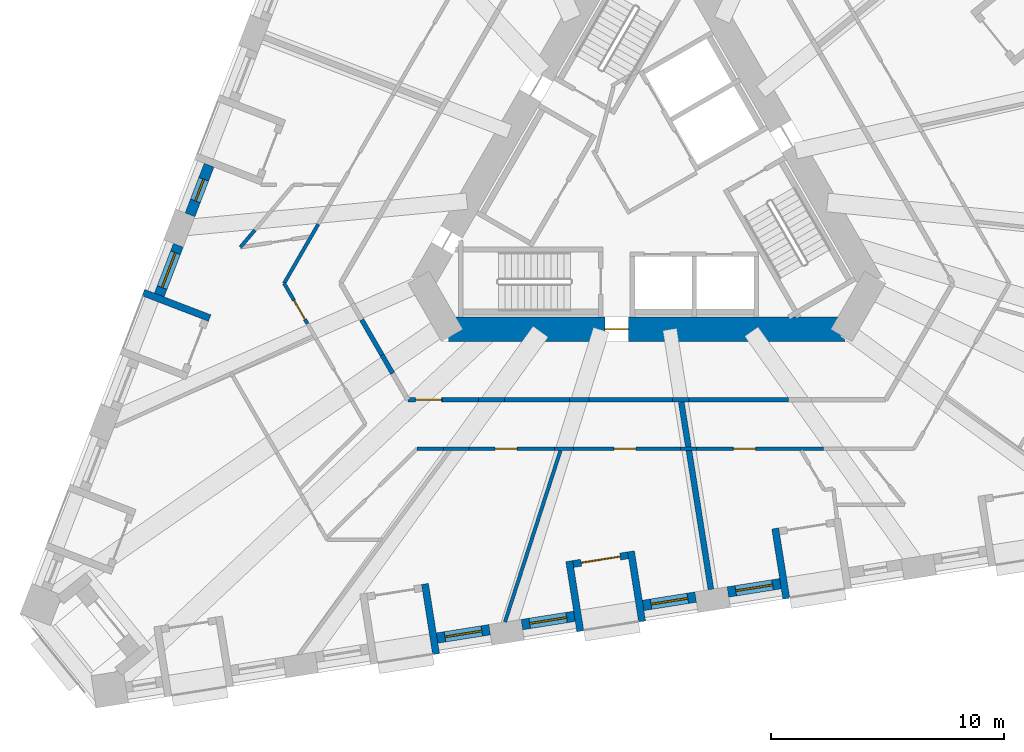
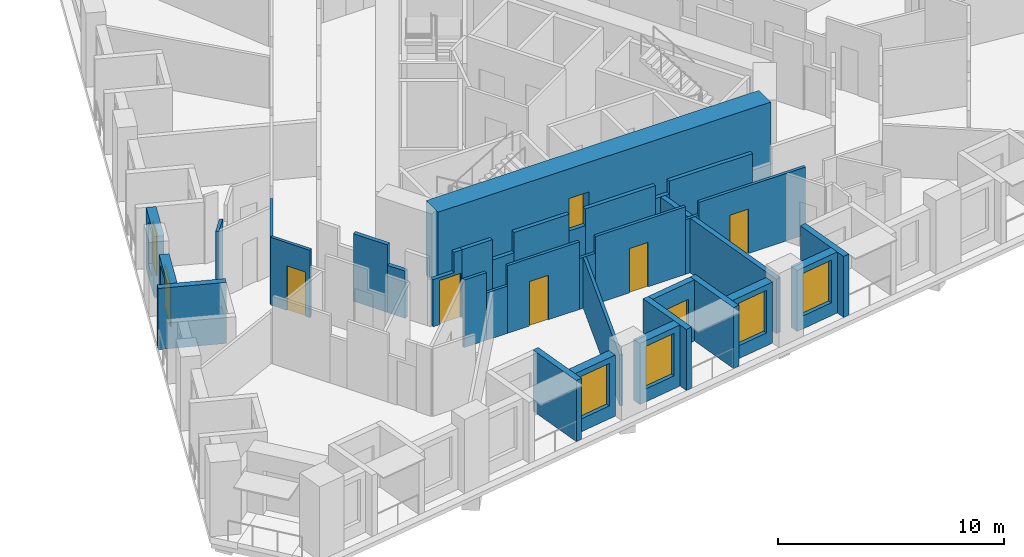
# One storey, part 3 of 14: 35 walls, 7 doors, 6 windows, 13 openings.
"""IFC4 building model written with IfcOpenShell, lengths in metres."""

from ifc_helpers import new_model, si_unit, direction, frame, frame_2d, origin, place, context, subcontext, project, spatial, polyline, rectangle, outline, extrude, material, layer, layer_set, type_object, element, fill, save


model = new_model("IFC4")

# Units and contexts
model_context = context("Model", 3, precision=1e-05, world=origin(), true_north=direction((0.0, 1.0)))
body_context = subcontext(model_context, "Body", "Model", "MODEL_VIEW")
ifc_project = project(units=[si_unit("LENGTHUNIT", "METRE"), si_unit("AREAUNIT", "SQUARE_METRE"), si_unit("VOLUMEUNIT", "CUBIC_METRE"), si_unit("PLANEANGLEUNIT", "RADIAN"), si_unit("MASSUNIT", "GRAM", prefix="KILO")], contexts=[model_context])

# Site, building, storey
site_placement = place(None, origin())
site = spatial("IfcSite", under=ifc_project, at=site_placement, CompositionType="ELEMENT")
building_placement = place(site_placement, origin())
building = spatial("IfcBuilding", under=site, at=building_placement, Name="Tramontana Tower", CompositionType="ELEMENT")
storey_placement = place(building_placement, frame((0.0, 0.0, 55.199951171875)))
storey = spatial("IfcBuildingStorey", under=building, at=storey_placement, Name="L11", CompositionType="ELEMENT", Elevation=55.199951171875)

# Wall, opening, door
ifc_material_1 = material(Name="Concrete 70 MPa", Category="concrete")
ifc_layer_1 = layer(ifc_material_1, 1.050048828125)
ifc_layer_set_1 = layer_set([ifc_layer_1], Name="Core wall 1050 70 MPa")
wall_type_1 = type_object("IfcWallType", Name="Core wall 1050 70 MPa", PredefinedType="SHEAR", material=ifc_layer_set_1)
wall_1_placement = place(storey_placement, frame((-8.50146484375, -6.22509765625, 0.0), z_axis=(0.0, 0.0, 1.0), x_axis=(1.0, 0.0, 0.0)))
wall_1 = element("IfcWall", 1, at=wall_1_placement, inside=storey, type_object=wall_type_1, Name="Core wall C3 L11", PredefinedType="SHEAR", context=body_context, shape_type="SweptSolid", body=[
    extrude(rectangle(XDim=17.0029296875, YDim=1.050048828125, at=frame_2d((8.50146484375, 0.0))), origin(), (0.0, 0.0, 1.0), 4.0),
])
opening_1_placement = place(wall_1_placement, frame((6.70654296875, 0.0, 0.0)))
opening_1 = element("IfcOpeningElement", 2, at=opening_1_placement, cuts=wall_1, Name="Opening RG2", PredefinedType="OPENING", context=body_context, shape_type="SweptSolid", body=[
    extrude(rectangle(XDim=1.0, YDim=2.39990234375, at=frame_2d((0.5, 1.199951171875))), frame((0.0, 0.534912109375, 0.0), z_axis=(0.0, -1.0, 0.0), x_axis=(1.0, 0.0, 0.0)), (0.0, 0.0, 1.0), 1.070068359375),
])
ifc_material_2 = material(Name="Painted steel", Category="steel")
door_type_1 = type_object("IfcDoorType", Name="RING DOOR 1000", OperationType="SINGLE_SWING_LEFT", PredefinedType="DOOR", material=ifc_material_2)
door_1_placement = place(opening_1_placement, origin())
door_1 = element("IfcDoor", 3, at=door_1_placement, inside=storey, type_object=door_type_1, Name="Door RG2", OperationType="SINGLE_SWING_RIGHT", OverallHeight=2.39990234375, OverallWidth=1.0, PredefinedType="DOOR", context=body_context, shape_type="SweptSolid", body=[
    extrude(rectangle(XDim=1.0, YDim=2.39990234375, at=frame_2d((0.5, 1.199951171875))), frame((0.0, 0.02490234375, 0.0), z_axis=(0.0, -1.0, 0.0), x_axis=(1.0, 0.0, 0.0)), (0.0, 0.0, 1.0), 0.050048828125),
])
fill(opening_1, door_1)

# Walls
ifc_material_3 = material(Name="Blockwork", Category="masonry")
ifc_layer_2 = layer(ifc_material_3, 0.199951171875)
ifc_layer_set_2 = layer_set([ifc_layer_2], Name="ENTRY WALL 200")
wall_type_2 = type_object("IfcWallType", Name="ENTRY WALL 200", PredefinedType="SOLIDWALL", material=ifc_layer_set_2)
wall_2_placement = place(storey_placement, frame((6.076171875, -9.25, 0.0), z_axis=(0.0, 0.0, 1.0), x_axis=(-1.0, 0.0, 0.0)))
element("IfcWall", 4, at=wall_2_placement, inside=storey, type_object=wall_type_2, Name="Wall v10-ew2-2", PredefinedType="SOLIDWALL", context=body_context, shape_type="SweptSolid", body=[
    extrude(rectangle(XDim=4.2568359375, YDim=0.199951171875, at=frame_2d((2.12841796875, 0.0))), origin(), (0.0, 0.0, 1.0), 3.650146484375),
])
wall_3_placement = place(storey_placement, frame((1.8193359375, -9.25, 0.0), z_axis=(0.0, 0.0, 1.0), x_axis=(-1.0, 0.0, 0.0)))
element("IfcWall", 5, at=wall_3_placement, inside=storey, type_object=wall_type_2, Name="Wall v10-ew2-3", PredefinedType="SOLIDWALL", context=body_context, shape_type="SweptSolid", body=[
    extrude(rectangle(XDim=0.708740234375, YDim=0.199951171875, at=frame_2d((0.3544921875, 0.0))), origin(), (0.0, 0.0, 1.0), 2.949951171875),
])
wall_4_placement = place(storey_placement, frame((1.110595703125, -9.25, 0.0), z_axis=(0.0, 0.0, 1.0), x_axis=(-1.0, 0.0, 0.0)))
element("IfcWall", 6, at=wall_4_placement, inside=storey, type_object=wall_type_2, Name="Wall v10-ew2-4", PredefinedType="SOLIDWALL", context=body_context, shape_type="SweptSolid", body=[
    extrude(rectangle(XDim=3.585205078125, YDim=0.199951171875, at=frame_2d((1.79248046875, 0.0))), origin(), (0.0, 0.0, 1.0), 3.650146484375),
])
wall_5_placement = place(storey_placement, frame((-2.474609375, -9.25, 0.0), z_axis=(0.0, 0.0, 1.0), x_axis=(-1.0, 0.0, 0.0)))
element("IfcWall", 7, at=wall_5_placement, inside=storey, type_object=wall_type_2, Name="Wall v10-ew2-5", PredefinedType="SOLIDWALL", context=body_context, shape_type="SweptSolid", body=[
    extrude(rectangle(XDim=0.838134765625, YDim=0.199951171875, at=frame_2d((0.4189453125, 0.0))), origin(), (0.0, 0.0, 1.0), 2.75),
])
wall_6_placement = place(storey_placement, frame((-3.312744140625, -9.25, 0.0), z_axis=(0.0, 0.0, 1.0), x_axis=(-1.0, 0.0, 0.0)))
element("IfcWall", 8, at=wall_6_placement, inside=storey, type_object=wall_type_2, Name="Wall v10-ew2-6", PredefinedType="SOLIDWALL", context=body_context, shape_type="SweptSolid", body=[
    extrude(rectangle(XDim=2.793701171875, YDim=0.199951171875, at=frame_2d((1.39697265625, 0.0))), origin(), (0.0, 0.0, 1.0), 3.650146484375),
])
wall_7_placement = place(storey_placement, frame((-6.1064453125, -9.25, 0.0), z_axis=(0.0, 0.0, 1.0), x_axis=(-1.0, 0.0, 0.0)))
element("IfcWall", 9, at=wall_7_placement, inside=storey, type_object=wall_type_2, Name="Wall v10-ew2-7", PredefinedType="SOLIDWALL", context=body_context, shape_type="SweptSolid", body=[
    extrude(rectangle(XDim=1.10888671875, YDim=0.199951171875, at=frame_2d((0.554443359375, 0.0))), origin(), (0.0, 0.0, 1.0), 2.550048828125),
])
wall_8_placement = place(storey_placement, frame((-7.21533203125, -9.25, 0.0), z_axis=(0.0, 0.0, 1.0), x_axis=(-1.0, 0.0, 0.0)))
element("IfcWall", 10, at=wall_8_placement, inside=storey, type_object=wall_type_2, Name="Wall v10-ew2-8", PredefinedType="SOLIDWALL", context=body_context, shape_type="SweptSolid", body=[
    extrude(rectangle(XDim=1.552978515625, YDim=0.199951171875, at=frame_2d((0.7763671875, 0.0))), origin(), (0.0, 0.0, 1.0), 3.650146484375),
])

# Wall, opening, door
wall_9_placement = place(storey_placement, frame((-10.248046875, -9.25, 0.0), z_axis=(0.0, 0.0, 1.0), x_axis=(1.0, 0.0, 0.0)))
wall_9 = element("IfcWall", 11, at=wall_9_placement, inside=storey, type_object=wall_type_2, Name="Wall v10-ew2-9", PredefinedType="SOLIDWALL", context=body_context, shape_type="SweptSolid", body=[
    extrude(outline(polyline([(0.0, 0.0), (1.479736328125, 0.0), (1.4794921875, 3.650146484375), (1.0703125, 3.650146484375), (1.0703125, 2.550048828125), (0.0, 2.550048828125), (0.0, 0.0)])), frame((0.0, 0.10009765625, 0.0), z_axis=(0.0, -1.0, 0.0), x_axis=(1.0, 0.0, 0.0)), (0.0, 0.0, 1.0), 0.199951171875),
])
opening_2_placement = place(wall_9_placement, frame((0.32958984375, 0.0, 0.0)))
opening_2 = element("IfcOpeningElement", 12, at=opening_2_placement, cuts=wall_9, Name="Opening B1A-29", PredefinedType="OPENING", context=body_context, shape_type="SweptSolid", body=[
    extrude(rectangle(XDim=1.10009765625, YDim=2.39990234375, at=frame_2d((0.550048828125, 1.199951171875))), frame((0.0, 0.10986328125, 0.0), z_axis=(0.0, -1.0, 0.0), x_axis=(1.0, 0.0, 0.0)), (0.0, 0.0, 1.0), 0.219970703125),
])
ifc_material_4 = material(Name="Painted timber", Category="wood")
door_type_2 = type_object("IfcDoorType", Name="DOOR ENTRY 1100", OperationType="SINGLE_SWING_LEFT", PredefinedType="DOOR", material=ifc_material_4)
door_2_placement = place(opening_2_placement, origin())
door_2 = element("IfcDoor", 13, at=door_2_placement, inside=storey, type_object=door_type_2, Name="Door B1A-29", OperationType="SINGLE_SWING_LEFT", OverallHeight=2.39990234375, OverallWidth=1.10009765625, PredefinedType="DOOR", context=body_context, shape_type="SweptSolid", body=[
    extrude(rectangle(XDim=1.10009765625, YDim=2.39990234375, at=frame_2d((0.550048828125, 1.199951171875))), frame((0.0, 0.02490234375, 0.0), z_axis=(0.0, -1.0, 0.0), x_axis=(1.0, 0.0, 0.0)), (0.0, 0.0, 1.0), 0.050048828125),
])
fill(opening_2, door_2)

# Walls
wall_10_placement = place(storey_placement, frame((-10.904296875, -8.11328125, 0.0), z_axis=(0.0, 0.0, 1.0), x_axis=(-0.499948710669, 0.866055013668, 0.0)))
element("IfcWall", 14, at=wall_10_placement, inside=storey, type_object=wall_type_2, Name="Wall v10-ew3-2", PredefinedType="SOLIDWALL", context=body_context, shape_type="SweptSolid", body=[
    extrude(rectangle(XDim=0.90283203125, YDim=0.199951171875, at=frame_2d((0.451416015625, 0.0))), origin(), (0.0, 0.0, 1.0), 2.550048828125),
])
wall_11_placement = place(storey_placement, frame((-11.355712890625, -7.331298828125, 0.0), z_axis=(0.0, 0.0, 1.0), x_axis=(-0.50000494408, 0.866022549299, 0.0)))
element("IfcWall", 15, at=wall_11_placement, inside=storey, type_object=wall_type_2, Name="Wall v10-ew3-3", PredefinedType="SOLIDWALL", context=body_context, shape_type="SweptSolid", body=[
    extrude(rectangle(XDim=1.74560546875, YDim=0.199951171875, at=frame_2d((0.872802734375, 0.0))), origin(), (0.0, 0.0, 1.0), 3.650146484375),
])

# Wall, opening, window
ifc_material_5 = material(Name="Precast concrete 60 MPa", Category="concrete")
ifc_layer_3 = layer(ifc_material_5, 0.449951171875)
ifc_layer_set_3 = layer_set([ifc_layer_3], Name="Precast concrete 60 MPa, 450 mm")
wall_type_3 = type_object("IfcWallType", Name="EW1 Stone-faced precast wall 450", PredefinedType="SOLIDWALL", material=ifc_layer_set_3)
wall_12_placement = place(storey_placement, frame((-18.779052734375, 0.818115234375, 0.0), z_axis=(0.0, 0.0, 1.0), x_axis=(-0.358355550725, -0.933585185864, 0.0)))
wall_12 = element("IfcWall", 16, at=wall_12_placement, inside=storey, type_object=wall_type_3, Name="External wall L11 face 0 bay 4", PredefinedType="SOLIDWALL", context=body_context, shape_type="SweptSolid", body=[
    extrude(rectangle(XDim=2.282958984375, YDim=0.449951171875, at=frame_2d((1.1416015625, 0.0))), origin(), (0.0, 0.0, 1.0), 3.300048828125),
])
opening_3_placement = place(wall_12_placement, frame((0.6416015625, 0.0, 0.699951171875)))
opening_3 = element("IfcOpeningElement", 17, at=opening_3_placement, cuts=wall_12, Name="Opening N1", PredefinedType="OPENING", context=body_context, shape_type="SweptSolid", body=[
    extrude(rectangle(XDim=1.0, YDim=2.300048828125, at=frame_2d((0.5, 1.14990234375))), frame((0.0, 0.23486328125, 0.0), z_axis=(0.0, -1.0, 0.0), x_axis=(1.0, 0.0, 0.0)), (0.0, 0.0, 1.0), 0.469970703125),
])
ifc_material_6 = material(Name="Aluminum frame, double glazing unit", Category="aluminium")
window_type_1 = type_object("IfcWindowType", Name="N1 Window 1 x 2.3", PartitioningType="SINGLE_PANEL", PredefinedType="WINDOW", material=ifc_material_6)
window_1_placement = place(opening_3_placement, origin())
window_1 = element("IfcWindow", 18, at=window_1_placement, inside=storey, type_object=window_type_1, Name="Window N1 L11 face 0 module 12", OverallHeight=2.300048828125, OverallWidth=1.0, PartitioningType="SINGLE_PANEL", PredefinedType="WINDOW", context=body_context, shape_type="SweptSolid", body=[
    extrude(rectangle(XDim=1.0, YDim=2.300048828125, at=frame_2d((0.5, 1.14990234375))), frame((0.0, 0.030029296875, 0.0), z_axis=(0.0, -1.0, 0.0), x_axis=(1.0, 0.0, 0.0)), (0.0, 0.0, 1.0), 0.06005859375),
])
fill(opening_3, window_1)

wall_13_placement = place(storey_placement, frame((-20.098876953125, -2.6201171875, 0.0), z_axis=(0.0, 0.0, 1.0), x_axis=(-0.358355550725, -0.933585185864, 0.0)))
wall_13 = element("IfcWall", 19, at=wall_13_placement, inside=storey, type_object=wall_type_3, Name="External wall L11 face 0 bay 5", PredefinedType="SOLIDWALL", context=body_context, shape_type="SweptSolid", body=[
    extrude(rectangle(XDim=2.282958984375, YDim=0.449951171875, at=frame_2d((1.1416015625, 0.0))), origin(), (0.0, 0.0, 1.0), 3.300048828125),
])
opening_4_placement = place(wall_13_placement, frame((0.341552734375, 0.0, 0.699951171875)))
opening_4 = element("IfcOpeningElement", 20, at=opening_4_placement, cuts=wall_13, Name="Opening M1", PredefinedType="OPENING", context=body_context, shape_type="SweptSolid", body=[
    extrude(rectangle(XDim=1.60009765625, YDim=2.300048828125, at=frame_2d((0.800048828125, 1.14990234375))), frame((0.0, 0.23486328125, 0.0), z_axis=(0.0, -1.0, 0.0), x_axis=(1.0, 0.0, 0.0)), (0.0, 0.0, 1.0), 0.469970703125),
])
ifc_material_7 = material(Name="Aluminum frame, double glazing unit", Category="aluminium")
window_type_2 = type_object("IfcWindowType", Name="M1 Window 1.6 x 2.3", PartitioningType="SINGLE_PANEL", PredefinedType="WINDOW", material=ifc_material_7)
window_2_placement = place(opening_4_placement, origin())
window_2 = element("IfcWindow", 21, at=window_2_placement, inside=storey, type_object=window_type_2, Name="Window M1 L11 face 0 module 13", OverallHeight=2.300048828125, OverallWidth=1.60009765625, PartitioningType="SINGLE_PANEL", PredefinedType="WINDOW", context=body_context, shape_type="SweptSolid", body=[
    extrude(rectangle(XDim=1.60009765625, YDim=2.300048828125, at=frame_2d((0.800048828125, 1.14990234375))), frame((0.0, 0.030029296875, 0.0), z_axis=(0.0, -1.0, 0.0), x_axis=(1.0, 0.0, 0.0)), (0.0, 0.0, 1.0), 0.06005859375),
])
fill(opening_4, window_2)

wall_14_placement = place(storey_placement, frame((-8.99658203125, -19.47216796875, 0.0), z_axis=(0.0, 0.0, 1.0), x_axis=(0.987685675151, 0.156451293065, 0.0)))
wall_14 = element("IfcWall", 22, at=wall_14_placement, inside=storey, type_object=wall_type_3, Name="External wall L11 face 1 bay 2", PredefinedType="SOLIDWALL", context=body_context, shape_type="SweptSolid", body=[
    extrude(rectangle(XDim=2.282958984375, YDim=0.449951171875, at=frame_2d((1.1416015625, 0.0))), origin(), (0.0, 0.0, 1.0), 3.300048828125),
])
opening_5_placement = place(wall_14_placement, frame((0.341552734375, 0.0, 0.699951171875)))
opening_5 = element("IfcOpeningElement", 23, at=opening_5_placement, cuts=wall_14, Name="Opening M1", PredefinedType="OPENING", context=body_context, shape_type="SweptSolid", body=[
    extrude(rectangle(XDim=1.60009765625, YDim=2.300048828125, at=frame_2d((0.800048828125, 1.14990234375))), frame((0.0, 0.23486328125, 0.0), z_axis=(0.0, -1.0, 0.0), x_axis=(1.0, 0.0, 0.0)), (0.0, 0.0, 1.0), 0.469970703125),
])
window_3_placement = place(opening_5_placement, origin())
window_3 = element("IfcWindow", 24, at=window_3_placement, inside=storey, type_object=window_type_2, Name="Window M1 L11 face 1 module 6", OverallHeight=2.300048828125, OverallWidth=1.60009765625, PartitioningType="SINGLE_PANEL", PredefinedType="WINDOW", context=body_context, shape_type="SweptSolid", body=[
    extrude(rectangle(XDim=1.60009765625, YDim=2.300048828125, at=frame_2d((0.800048828125, 1.14990234375))), frame((0.0, 0.030029296875, 0.0), z_axis=(0.0, -1.0, 0.0), x_axis=(1.0, 0.0, 0.0)), (0.0, 0.0, 1.0), 0.06005859375),
])
fill(opening_5, window_3)

wall_15_placement = place(storey_placement, frame((-5.35888671875, -18.89599609375, 0.0), z_axis=(0.0, 0.0, 1.0), x_axis=(0.987685675151, 0.156451293065, 0.0)))
wall_15 = element("IfcWall", 25, at=wall_15_placement, inside=storey, type_object=wall_type_3, Name="External wall L11 face 1 bay 3", PredefinedType="SOLIDWALL", context=body_context, shape_type="SweptSolid", body=[
    extrude(rectangle(XDim=2.282958984375, YDim=0.449951171875, at=frame_2d((1.1416015625, 0.0))), origin(), (0.0, 0.0, 1.0), 3.300048828125),
])
opening_6_placement = place(wall_15_placement, frame((0.341552734375, 0.0, 0.699951171875)))
opening_6 = element("IfcOpeningElement", 26, at=opening_6_placement, cuts=wall_15, Name="Opening M1", PredefinedType="OPENING", context=body_context, shape_type="SweptSolid", body=[
    extrude(rectangle(XDim=1.60009765625, YDim=2.300048828125, at=frame_2d((0.800048828125, 1.14990234375))), frame((0.0, 0.23486328125, 0.0), z_axis=(0.0, -1.0, 0.0), x_axis=(1.0, 0.0, 0.0)), (0.0, 0.0, 1.0), 0.469970703125),
])
window_4_placement = place(opening_6_placement, origin())
window_4 = element("IfcWindow", 27, at=window_4_placement, inside=storey, type_object=window_type_2, Name="Window M1 L11 face 1 module 7", OverallHeight=2.300048828125, OverallWidth=1.60009765625, PartitioningType="SINGLE_PANEL", PredefinedType="WINDOW", context=body_context, shape_type="SweptSolid", body=[
    extrude(rectangle(XDim=1.60009765625, YDim=2.300048828125, at=frame_2d((0.800048828125, 1.14990234375))), frame((0.0, 0.030029296875, 0.0), z_axis=(0.0, -1.0, 0.0), x_axis=(1.0, 0.0, 0.0)), (0.0, 0.0, 1.0), 0.06005859375),
])
fill(opening_6, window_4)

wall_16_placement = place(storey_placement, frame((-0.15771484375, -18.072265625, 0.0), z_axis=(0.0, 0.0, 1.0), x_axis=(0.987685675151, 0.156451293065, 0.0)))
wall_16 = element("IfcWall", 28, at=wall_16_placement, inside=storey, type_object=wall_type_3, Name="External wall L11 face 1 bay 3", PredefinedType="SOLIDWALL", context=body_context, shape_type="SweptSolid", body=[
    extrude(rectangle(XDim=2.282958984375, YDim=0.449951171875, at=frame_2d((1.1416015625, 0.0))), origin(), (0.0, 0.0, 1.0), 3.300048828125),
])
opening_7_placement = place(wall_16_placement, frame((0.341552734375, 0.0, 0.699951171875)))
opening_7 = element("IfcOpeningElement", 29, at=opening_7_placement, cuts=wall_16, Name="Opening M1", PredefinedType="OPENING", context=body_context, shape_type="SweptSolid", body=[
    extrude(rectangle(XDim=1.60009765625, YDim=2.300048828125, at=frame_2d((0.800048828125, 1.14990234375))), frame((0.0, 0.23486328125, 0.0), z_axis=(0.0, -1.0, 0.0), x_axis=(1.0, 0.0, 0.0)), (0.0, 0.0, 1.0), 0.469970703125),
])
window_5_placement = place(opening_7_placement, origin())
window_5 = element("IfcWindow", 30, at=window_5_placement, inside=storey, type_object=window_type_2, Name="Window M1 L11 face 1 module 9", OverallHeight=2.300048828125, OverallWidth=1.60009765625, PartitioningType="SINGLE_PANEL", PredefinedType="WINDOW", context=body_context, shape_type="SweptSolid", body=[
    extrude(rectangle(XDim=1.60009765625, YDim=2.300048828125, at=frame_2d((0.800048828125, 1.14990234375))), frame((0.0, 0.030029296875, 0.0), z_axis=(0.0, -1.0, 0.0), x_axis=(1.0, 0.0, 0.0)), (0.0, 0.0, 1.0), 0.06005859375),
])
fill(opening_7, window_5)

wall_17_placement = place(storey_placement, frame((3.479736328125, -17.49609375, 0.0), z_axis=(0.0, 0.0, 1.0), x_axis=(0.987685675151, 0.156451293065, 0.0)))
wall_17 = element("IfcWall", 31, at=wall_17_placement, inside=storey, type_object=wall_type_3, Name="External wall L11 face 1 bay 4", PredefinedType="SOLIDWALL", context=body_context, shape_type="SweptSolid", body=[
    extrude(rectangle(XDim=2.282958984375, YDim=0.449951171875, at=frame_2d((1.1416015625, 0.0))), origin(), (0.0, 0.0, 1.0), 3.300048828125),
])
opening_8_placement = place(wall_17_placement, frame((0.341552734375, 0.0, 0.699951171875)))
opening_8 = element("IfcOpeningElement", 32, at=opening_8_placement, cuts=wall_17, Name="Opening M1", PredefinedType="OPENING", context=body_context, shape_type="SweptSolid", body=[
    extrude(rectangle(XDim=1.60009765625, YDim=2.300048828125, at=frame_2d((0.800048828125, 1.14990234375))), frame((0.0, 0.23486328125, 0.0), z_axis=(0.0, -1.0, 0.0), x_axis=(1.0, 0.0, 0.0)), (0.0, 0.0, 1.0), 0.469970703125),
])
window_6_placement = place(opening_8_placement, origin())
window_6 = element("IfcWindow", 33, at=window_6_placement, inside=storey, type_object=window_type_2, Name="Window M1 L11 face 1 module 10", OverallHeight=2.300048828125, OverallWidth=1.60009765625, PartitioningType="SINGLE_PANEL", PredefinedType="WINDOW", context=body_context, shape_type="SweptSolid", body=[
    extrude(rectangle(XDim=1.60009765625, YDim=2.300048828125, at=frame_2d((0.800048828125, 1.14990234375))), frame((0.0, 0.030029296875, 0.0), z_axis=(0.0, -1.0, 0.0), x_axis=(1.0, 0.0, 0.0)), (0.0, 0.0, 1.0), 0.06005859375),
])
fill(opening_8, window_6)

# Walls
ifc_material_8 = material(Name="Precast concrete 60 MPa", Category="concrete")
ifc_layer_4 = layer(ifc_material_8, 0.300048828125)
ifc_layer_set_4 = layer_set([ifc_layer_4], Name="LW1 Stone-faced loggia wall 300")
wall_type_4 = type_object("IfcWallType", Name="LW1 Stone-faced loggia wall 300", PredefinedType="SOLIDWALL", material=ifc_layer_set_4)
for number, where, z_axis, x_axis, name in (
    (34, (-21.60107421875, -4.649658203125, 0.0), (0.0, 0.0, 1.0), (0.933580593625, -0.358367514161, 0.0), "Loggia return L11 G1S0.13a"),
    (35, (-9.0390625, -20.162353515625, 0.0), (0.0, 0.0, 1.0), (-0.156488687365, 0.987679751097, 0.0), "Loggia return L11 G1S1.4b"),
):
    element("IfcWall", number, at=place(storey_placement, frame(where, z_axis=z_axis, x_axis=x_axis)), inside=storey, type_object=wall_type_4, Name=name, PredefinedType="SOLIDWALL", context=body_context, shape_type="SweptSolid", body=[
        extrude(rectangle(XDim=3.050048828125, YDim=0.300048828125, at=frame_2d((1.52490234375, 0.0))), origin(), (0.0, 0.0, 1.0), 3.300048828125),
    ])

# Wall, opening, door
wall_18_placement = place(storey_placement, frame((-3.15576171875, -16.294189453125, 0.0), z_axis=(0.0, 0.0, 1.0), x_axis=(0.987685586014, 0.156451855793, 0.0)))
wall_18 = element("IfcWall", 36, at=wall_18_placement, inside=storey, type_object=wall_type_4, Name="Loggia wall L11 G1S1.7", PredefinedType="SOLIDWALL", context=body_context, shape_type="SweptSolid", body=[
    extrude(rectangle(XDim=2.3828125, YDim=0.300048828125, at=frame_2d((1.19140625, 0.0))), origin(), (0.0, 0.0, 1.0), 3.300048828125),
])
opening_9_placement = place(wall_18_placement, frame((0.341552734375, 0.0, 0.0)))
opening_9 = element("IfcOpeningElement", 37, at=opening_9_placement, cuts=wall_18, Name="Opening BD-1S1-07", PredefinedType="OPENING", context=body_context, shape_type="SweptSolid", body=[
    extrude(rectangle(XDim=1.699951171875, YDim=2.39990234375, at=frame_2d((0.85009765625, 1.199951171875))), frame((0.0, 0.159912109375, 0.0), z_axis=(0.0, -1.0, 0.0), x_axis=(1.0, 0.0, 0.0)), (0.0, 0.0, 1.0), 0.320068359375),
])
ifc_material_9 = material(Name="Aluminum frame, double glazing unit", Category="aluminium")
door_type_3 = type_object("IfcDoorType", Name="BD1 Sliding door 1.7 x 2.4", OperationType="SLIDING_TO_LEFT", PredefinedType="DOOR", material=ifc_material_9)
door_3_placement = place(opening_9_placement, origin())
door_3 = element("IfcDoor", 38, at=door_3_placement, inside=storey, type_object=door_type_3, Name="Loggia door L11 G1S1.7", OperationType="SLIDING_TO_LEFT", OverallHeight=2.39990234375, OverallWidth=1.699951171875, PredefinedType="DOOR", context=body_context, shape_type="SweptSolid", body=[
    extrude(rectangle(XDim=1.699951171875, YDim=2.39990234375, at=frame_2d((0.85009765625, 1.199951171875))), frame((0.0, 0.02490234375, 0.0), z_axis=(0.0, -1.0, 0.0), x_axis=(1.0, 0.0, 0.0)), (0.0, 0.0, 1.0), 0.050048828125),
])
fill(opening_9, door_3)

# Walls
for number, where, z_axis, x_axis, name in (
    (39, (-2.850341796875, -19.18212890625, 0.0), (0.0, 0.0, 1.0), (-0.156410600741, 0.987692120033, 0.0), "Loggia return L11 G1S1.7a"),
    (40, (-0.200439453125, -18.762451171875, 0.0), (0.0, 0.0, 1.0), (-0.156410600741, 0.987692120033, 0.0), "Loggia return L11 G1S1.7b"),
    (41, (5.988525390625, -17.7822265625, 0.0), (0.0, 0.0, 1.0), (-0.156488687365, 0.987679751097, 0.0), "Loggia return L11 G1S1.10a"),
):
    element("IfcWall", number, at=place(storey_placement, frame(where, z_axis=z_axis, x_axis=x_axis)), inside=storey, type_object=wall_type_4, Name=name, PredefinedType="SOLIDWALL", context=body_context, shape_type="SweptSolid", body=[
        extrude(rectangle(XDim=3.050048828125, YDim=0.300048828125, at=frame_2d((1.52490234375, 0.0))), origin(), (0.0, 0.0, 1.0), 3.300048828125),
    ])
ifc_material_10 = material(Name="Gypsum board partition")
ifc_layer_5 = layer(ifc_material_10, 0.14990234375)
ifc_layer_set_5 = layer_set([ifc_layer_5], Name="PARTITION 150")
wall_type_5 = type_object("IfcWallType", Name="PARTITION 150", PredefinedType="PARTITIONING", material=ifc_layer_set_5)
wall_19_placement = place(storey_placement, frame((-17.43798828125, -2.703369140625, 0.0), z_axis=(0.0, 0.0, 1.0), x_axis=(0.647272566257, 0.76225863391, 0.0)))
element("IfcWall", 42, at=wall_19_placement, inside=storey, type_object=wall_type_5, Name="Wall v10-pw01-0", PredefinedType="PARTITIONING", context=body_context, shape_type="SweptSolid", body=[
    extrude(rectangle(XDim=0.9619140625, YDim=0.14990234375, at=frame_2d((0.48095703125, 0.0))), origin(), (0.0, 0.0, 1.0), 3.650146484375),
])

# Wall, opening, door
wall_20_placement = place(storey_placement, frame((-14.55810546875, -5.984619140625, 0.0), z_axis=(0.0, 0.0, 1.0), x_axis=(-0.499993265928, 0.866029291668, 0.0)))
wall_20 = element("IfcWall", 43, at=wall_20_placement, inside=storey, type_object=wall_type_5, Name="Wall v10-pw07-4", PredefinedType="PARTITIONING", context=body_context, shape_type="SweptSolid", body=[
    extrude(rectangle(XDim=2.0029296875, YDim=0.14990234375, at=frame_2d((1.00146484375, 0.0))), origin(), (0.0, 0.0, 1.0), 3.650146484375),
])
opening_10_placement = place(wall_20_placement, frame((0.210693359375, 0.0, 0.0)))
opening_10 = element("IfcOpeningElement", 44, at=opening_10_placement, cuts=wall_20, Name="Opening B1A-13", PredefinedType="OPENING", context=body_context, shape_type="SweptSolid", body=[
    extrude(rectangle(XDim=0.949951171875, YDim=2.39990234375, at=frame_2d((0.47509765625, 1.199951171875))), frame((0.0, 0.0849609375, 0.0), z_axis=(0.0, -1.0, 0.0), x_axis=(1.0, 0.0, 0.0)), (0.0, 0.0, 1.0), 0.169921875),
])
ifc_material_11 = material(Name="Painted timber", Category="wood")
door_type_4 = type_object("IfcDoorType", Name="DOOR ROOM 950", OperationType="SINGLE_SWING_LEFT", PredefinedType="DOOR", material=ifc_material_11)
door_4_placement = place(opening_10_placement, origin())
door_4 = element("IfcDoor", 45, at=door_4_placement, inside=storey, type_object=door_type_4, Name="Door B1A-13", OperationType="SINGLE_SWING_LEFT", OverallHeight=2.39990234375, OverallWidth=0.949951171875, PredefinedType="DOOR", context=body_context, shape_type="SweptSolid", body=[
    extrude(rectangle(XDim=0.949951171875, YDim=2.39990234375, at=frame_2d((0.47509765625, 1.199951171875))), frame((0.0, 0.02490234375, 0.0), z_axis=(0.0, -1.0, 0.0), x_axis=(1.0, 0.0, 0.0)), (0.0, 0.0, 1.0), 0.050048828125),
])
fill(opening_10, door_4)

# Walls
wall_21_placement = place(storey_placement, frame((-14.095703125, -1.714599609375, 0.0), z_axis=(0.0, 0.0, 1.0), x_axis=(-0.500013600279, -0.866017551517, 0.0)))
element("IfcWall", 46, at=wall_21_placement, inside=storey, type_object=wall_type_5, Name="Wall v10-pw16-8", PredefinedType="PARTITIONING", context=body_context, shape_type="SweptSolid", body=[
    extrude(rectangle(XDim=2.927734375, YDim=0.14990234375, at=frame_2d((1.4638671875, 0.0))), origin(), (0.0, 0.0, 1.0), 3.650146484375),
])
wall_22_placement = place(storey_placement, frame((-3.70166015625, -11.425048828125, 0.0), z_axis=(0.0, 0.0, 1.0), x_axis=(-0.308195921166, -0.951322907417, 0.0)))
element("IfcWall", 47, at=wall_22_placement, inside=storey, type_object=wall_type_5, Name="Wall v10-pw19-0", PredefinedType="PARTITIONING", context=body_context, shape_type="SweptSolid", body=[
    extrude(rectangle(XDim=7.734619140625, YDim=0.14990234375, at=frame_2d((3.8671875, 0.0))), origin(), (0.0, 0.0, 1.0), 2.75),
])

# Wall, opening, door
wall_23_placement = place(storey_placement, frame((7.582275390625, -11.35009765625, 0.0), z_axis=(0.0, 0.0, 1.0), x_axis=(-1.0, 0.0, 0.0)))
wall_23 = element("IfcWall", 48, at=wall_23_placement, inside=storey, type_object=wall_type_5, Name="Wall v10-pw35-2", PredefinedType="PARTITIONING", context=body_context, shape_type="SweptSolid", body=[
    extrude(rectangle(XDim=5.44287109375, YDim=0.14990234375, at=frame_2d((2.721435546875, 0.0))), origin(), (0.0, 0.0, 1.0), 3.650146484375),
])
opening_11_placement = place(wall_23_placement, frame((2.91552734375, 0.0, 0.0)))
opening_11 = element("IfcOpeningElement", 49, at=opening_11_placement, cuts=wall_23, Name="Opening B1A-22", PredefinedType="OPENING", context=body_context, shape_type="SweptSolid", body=[
    extrude(rectangle(XDim=0.949951171875, YDim=2.39990234375, at=frame_2d((0.47509765625, 1.199951171875))), frame((0.0, 0.0849609375, 0.0), z_axis=(0.0, -1.0, 0.0), x_axis=(1.0, 0.0, 0.0)), (0.0, 0.0, 1.0), 0.169921875),
])
door_5_placement = place(opening_11_placement, origin())
door_5 = element("IfcDoor", 50, at=door_5_placement, inside=storey, type_object=door_type_4, Name="Door B1A-22", OperationType="SINGLE_SWING_RIGHT", OverallHeight=2.39990234375, OverallWidth=0.949951171875, PredefinedType="DOOR", context=body_context, shape_type="SweptSolid", body=[
    extrude(rectangle(XDim=0.949951171875, YDim=2.39990234375, at=frame_2d((0.47509765625, 1.199951171875))), frame((0.0, 0.02490234375, 0.0), z_axis=(0.0, -1.0, 0.0), x_axis=(1.0, 0.0, 0.0)), (0.0, 0.0, 1.0), 0.050048828125),
])
fill(opening_11, door_5)

# Wall
wall_24_placement = place(storey_placement, frame((2.139404296875, -11.35009765625, 0.0), z_axis=(0.0, 0.0, 1.0), x_axis=(-1.0, 0.0, 0.0)))
element("IfcWall", 51, at=wall_24_placement, inside=storey, type_object=wall_type_5, Name="Wall v10-pw35-3", PredefinedType="PARTITIONING", context=body_context, shape_type="SweptSolid", body=[
    extrude(rectangle(XDim=0.683349609375, YDim=0.14990234375, at=frame_2d((0.341796875, 0.0))), origin(), (0.0, 0.0, 1.0), 2.949951171875),
])

# Wall, opening, door
wall_25_placement = place(storey_placement, frame((1.4560546875, -11.35009765625, 0.0), z_axis=(0.0, 0.0, 1.0), x_axis=(-1.0, 0.0, 0.0)))
wall_25 = element("IfcWall", 52, at=wall_25_placement, inside=storey, type_object=wall_type_5, Name="Wall v10-pw35-4", PredefinedType="PARTITIONING", context=body_context, shape_type="SweptSolid", body=[
    extrude(rectangle(XDim=4.600830078125, YDim=0.14990234375, at=frame_2d((2.30029296875, 0.0))), origin(), (0.0, 0.0, 1.0), 3.650146484375),
])
opening_12_placement = place(wall_25_placement, frame((1.92236328125, 0.0, 0.0)))
opening_12 = element("IfcOpeningElement", 53, at=opening_12_placement, cuts=wall_25, Name="Opening B1A-16", PredefinedType="OPENING", context=body_context, shape_type="SweptSolid", body=[
    extrude(rectangle(XDim=0.949951171875, YDim=2.39990234375, at=frame_2d((0.47509765625, 1.199951171875))), frame((0.0, 0.0849609375, 0.0), z_axis=(0.0, -1.0, 0.0), x_axis=(1.0, 0.0, 0.0)), (0.0, 0.0, 1.0), 0.169921875),
])
door_6_placement = place(opening_12_placement, origin())
door_6 = element("IfcDoor", 54, at=door_6_placement, inside=storey, type_object=door_type_4, Name="Door B1A-16", OperationType="SINGLE_SWING_RIGHT", OverallHeight=2.39990234375, OverallWidth=0.949951171875, PredefinedType="DOOR", context=body_context, shape_type="SweptSolid", body=[
    extrude(rectangle(XDim=0.949951171875, YDim=2.39990234375, at=frame_2d((0.47509765625, 1.199951171875))), frame((0.0, 0.02490234375, 0.0), z_axis=(0.0, -1.0, 0.0), x_axis=(1.0, 0.0, 0.0)), (0.0, 0.0, 1.0), 0.050048828125),
])
fill(opening_12, door_6)

# Wall
wall_26_placement = place(storey_placement, frame((-3.144775390625, -11.35009765625, 0.0), z_axis=(0.0, 0.0, 1.0), x_axis=(-1.0, 0.0, 0.0)))
element("IfcWall", 55, at=wall_26_placement, inside=storey, type_object=wall_type_5, Name="Wall v10-pw35-5", PredefinedType="PARTITIONING", context=body_context, shape_type="SweptSolid", body=[
    extrude(rectangle(XDim=0.81201171875, YDim=0.14990234375, at=frame_2d((0.406005859375, 0.0))), origin(), (0.0, 0.0, 1.0), 2.75),
])

# Wall, opening, door
wall_27_placement = place(storey_placement, frame((-3.956787109375, -11.35009765625, 0.0), z_axis=(0.0, 0.0, 1.0), x_axis=(-1.0, 0.0, 0.0)))
wall_27 = element("IfcWall", 56, at=wall_27_placement, inside=storey, type_object=wall_type_5, Name="Wall v10-pw35-6", PredefinedType="PARTITIONING", context=body_context, shape_type="SweptSolid", body=[
    extrude(rectangle(XDim=3.67724609375, YDim=0.14990234375, at=frame_2d((1.838623046875, 0.0))), origin(), (0.0, 0.0, 1.0), 3.650146484375),
])
opening_13_placement = place(wall_27_placement, frame((1.603515625, 0.0, 0.0)))
opening_13 = element("IfcOpeningElement", 57, at=opening_13_placement, cuts=wall_27, Name="Opening B1A-15", PredefinedType="OPENING", context=body_context, shape_type="SweptSolid", body=[
    extrude(rectangle(XDim=0.949951171875, YDim=2.39990234375, at=frame_2d((0.47509765625, 1.199951171875))), frame((0.0, 0.0849609375, 0.0), z_axis=(0.0, -1.0, 0.0), x_axis=(1.0, 0.0, 0.0)), (0.0, 0.0, 1.0), 0.169921875),
])
door_7_placement = place(opening_13_placement, origin())
door_7 = element("IfcDoor", 58, at=door_7_placement, inside=storey, type_object=door_type_4, Name="Door B1A-15", OperationType="SINGLE_SWING_LEFT", OverallHeight=2.39990234375, OverallWidth=0.949951171875, PredefinedType="DOOR", context=body_context, shape_type="SweptSolid", body=[
    extrude(rectangle(XDim=0.949951171875, YDim=2.39990234375, at=frame_2d((0.47509765625, 1.199951171875))), frame((0.0, 0.02490234375, 0.0), z_axis=(0.0, -1.0, 0.0), x_axis=(1.0, 0.0, 0.0)), (0.0, 0.0, 1.0), 0.050048828125),
])
fill(opening_13, door_7)

# Walls
wall_28_placement = place(storey_placement, frame((-7.634033203125, -11.35009765625, 0.0), z_axis=(0.0, 0.0, 1.0), x_axis=(-1.0, 0.0, 0.0)))
element("IfcWall", 59, at=wall_28_placement, inside=storey, type_object=wall_type_5, Name="Wall v10-pw35-7", PredefinedType="PARTITIONING", context=body_context, shape_type="SweptSolid", body=[
    extrude(rectangle(XDim=1.078125, YDim=0.14990234375, at=frame_2d((0.5390625, 0.0))), origin(), (0.0, 0.0, 1.0), 2.550048828125),
])
wall_29_placement = place(storey_placement, frame((-8.712158203125, -11.35009765625, 0.0), z_axis=(0.0, 0.0, 1.0), x_axis=(-1.0, 0.0, 0.0)))
element("IfcWall", 60, at=wall_29_placement, inside=storey, type_object=wall_type_5, Name="Wall v10-pw35-8", PredefinedType="PARTITIONING", context=body_context, shape_type="SweptSolid", body=[
    extrude(rectangle(XDim=1.146240234375, YDim=0.14990234375, at=frame_2d((0.5732421875, 0.0))), origin(), (0.0, 0.0, 1.0), 3.650146484375),
])
ifc_material_12 = material(Name="Blockwork", Category="masonry")
ifc_layer_6 = layer(ifc_material_12, 0.25)
ifc_layer_set_6 = layer_set([ifc_layer_6], Name="PARTY WALL 250")
wall_type_6 = type_object("IfcWallType", Name="PARTY WALL 250", PredefinedType="SOLIDWALL", material=ifc_layer_set_6)
wall_30_placement = place(storey_placement, frame((1.48095703125, -9.35009765625, 0.0), z_axis=(0.0, 0.0, 1.0), x_axis=(0.15642036173, -0.987690574237, 0.0)))
element("IfcWall", 61, at=wall_30_placement, inside=storey, type_object=wall_type_6, Name="Wall v10-pw21-0", PredefinedType="SOLIDWALL", context=body_context, shape_type="SweptSolid", body=[
    extrude(rectangle(XDim=8.13330078125, YDim=0.25, at=frame_2d((4.066650390625, 0.0))), origin(), (0.0, 0.0, 1.0), 2.949951171875),
])

save(model, "model.ifc")
